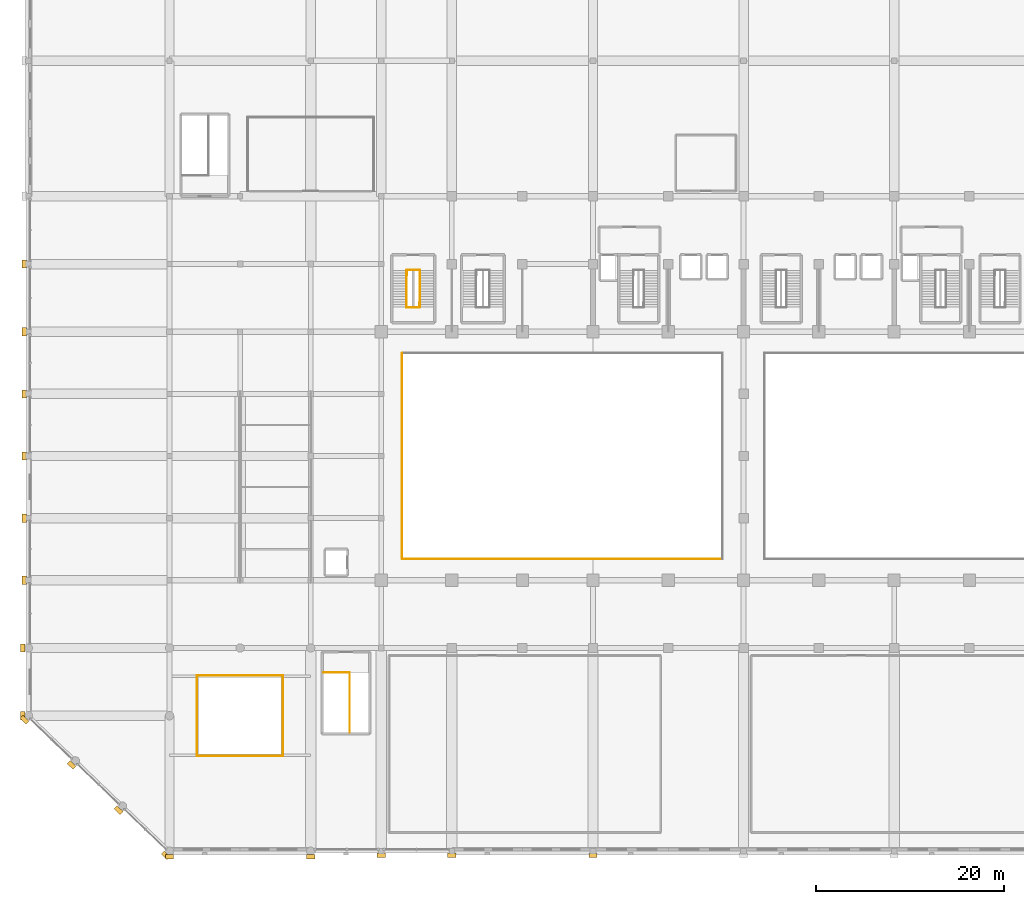
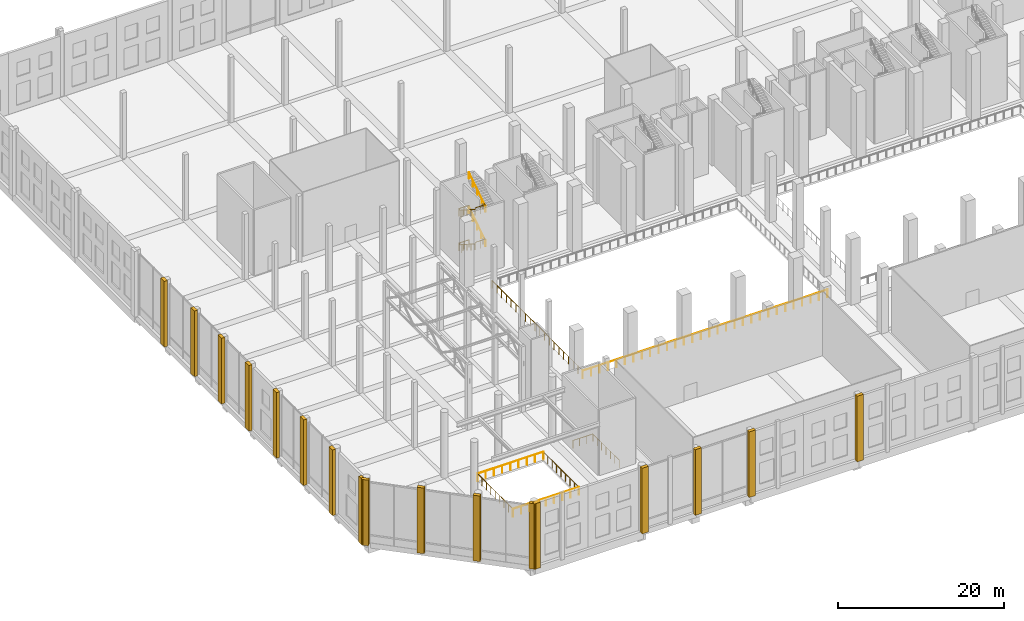
# One storey, part 76 of 80: 17 coverings, 15 railings.
"""IFC4 building model written with IfcOpenShell, lengths in metres."""

from ifc_helpers import new_model, si_unit, direction, frame, origin, origin_2d, place, context, subcontext, project, spatial, rectangle, circle, extrude, material, layer, layer_set, type_object, element, save


model = new_model("IFC4")

# Units and contexts
model_context = context("Model", 3, precision=1e-05, world=origin(), true_north=direction((0.0, 1.0)))
body_context = subcontext(model_context, "Body", "Model", "MODEL_VIEW")
ifc_project = project(units=[si_unit("LENGTHUNIT", "METRE"), si_unit("AREAUNIT", "SQUARE_METRE"), si_unit("VOLUMEUNIT", "CUBIC_METRE"), si_unit("PLANEANGLEUNIT", "RADIAN"), si_unit("MASSUNIT", "GRAM", prefix="KILO")], contexts=[model_context])

# Site, building, storey
site_placement = place(None, origin())
site = spatial("IfcSite", under=ifc_project, at=site_placement, CompositionType="ELEMENT")
building_placement = place(site_placement, origin())
building = spatial("IfcBuilding", under=site, at=building_placement, Name="Akrevak Sports Hall", CompositionType="ELEMENT")
storey_placement = place(building_placement, frame((0.0, 0.0, 14.0)))
storey = spatial("IfcBuildingStorey", under=building, at=storey_placement, Name="L03", CompositionType="ELEMENT", Elevation=14.0)

# Coverings
ifc_material_1 = material(Name="Limestone Ashlar", Category="stone")
ifc_layer_1 = layer(ifc_material_1, 0.47998046875, Name="Limestone Ashlar")
ifc_layer_set_1 = layer_set([ifc_layer_1], Name="Limestone Ashlar")
covering_type = type_object("IfcCoveringType", Name="ARC-COV-PIL-LIM", PredefinedType="CLADDING", material=ifc_layer_set_1)
for number, where, z_axis, x_axis, name in (
    (1, (15.0, -0.60009765625, 0.0), (0.0, 0.0, 1.0), (1.0, 0.0, 0.0), "Giant-Order Limestone Pilaster L03-01-01"),
    (2, (30.0, -0.60009765625, 0.0), (0.0, 0.0, 1.0), (1.0, 0.0, 0.0), "Giant-Order Limestone Pilaster L03-01-02"),
    (3, (37.5, -0.425048828125, 0.0), (0.0, 0.0, 1.0), (1.0, 0.0, 0.0), "Giant-Order Limestone Pilaster L03-01-03"),
    (4, (45.0, -0.425048828125, 0.0), (0.0, 0.0, 1.0), (1.0, 0.0, 0.0), "Giant-Order Limestone Pilaster L03-01-04"),
    (5, (60.0, -0.449951171875, 0.0), (0.0, 0.0, 1.0), (1.0, 0.0, 0.0), "Giant-Order Limestone Pilaster L03-01-05"),
    (6, (-0.60009765625, 14.39990234375, 0.0), (0.0, 0.0, 1.0), (0.0, -1.0, 0.0), "Giant-Order Limestone Pilaster L03-04-39"),
    (7, (-0.60009765625, 21.60009765625, 0.0), (0.0, 0.0, 1.0), (0.0, -1.0, 0.0), "Giant-Order Limestone Pilaster L03-04-40"),
    (8, (-0.449951171875, 28.800048828125, 0.0), (0.0, 0.0, 1.0), (0.0, -1.0, 0.0), "Giant-Order Limestone Pilaster L03-04-41"),
    (9, (-0.425048828125, 35.39990234375, 0.0), (0.0, 0.0, 1.0), (0.0, -1.0, 0.0), "Giant-Order Limestone Pilaster L03-04-42"),
    (10, (-0.449951171875, 42.0, 0.0), (0.0, 0.0, 1.0), (0.0, -1.0, 0.0), "Giant-Order Limestone Pilaster L03-04-43"),
    (11, (-0.449951171875, 48.60009765625, 0.0), (0.0, 0.0, 1.0), (0.0, -1.0, 0.0), "Giant-Order Limestone Pilaster L03-04-44"),
    (12, (-0.425048828125, 55.199951171875, 0.0), (0.0, 0.0, 1.0), (0.0, -1.0, 0.0), "Giant-Order Limestone Pilaster L03-04-45"),
    (13, (-0.449951171875, 62.39990234375, 0.0), (0.0, 0.0, 1.0), (0.0, -1.0, 0.0), "Giant-Order Limestone Pilaster L03-04-46"),
    (14, (-0.41552734375, 13.96728515625, 0.0), (0.0, 0.0, 1.0), (0.721385636978, -0.692533582407, 0.0), "Giant-Order Limestone Pilaster L03-05-49"),
    (15, (4.58447265625, 9.167236328125, 0.0), (0.0, 0.0, 1.0), (0.721385636978, -0.692533582407, 0.0), "Giant-Order Limestone Pilaster L03-05-50"),
    (16, (9.58447265625, 4.3671875, 0.0), (0.0, 0.0, 1.0), (0.721385636978, -0.692533582407, 0.0), "Giant-Order Limestone Pilaster L03-05-51"),
    (17, (14.58447265625, -0.432861328125, 0.0), (0.0, 0.0, 1.0), (0.721385636978, -0.692533582407, 0.0), "Giant-Order Limestone Pilaster L03-05-51"),
):
    element("IfcCovering", number, at=place(storey_placement, frame(where, z_axis=z_axis, x_axis=x_axis)), inside=storey, type_object=covering_type, Name=name, PredefinedType="CLADDING", context=body_context, shape_type="SweptSolid", body=[
        extrude(rectangle(XDim=0.8798828125, YDim=0.4599609375, at=origin_2d()), origin(), (0.0, 0.0, 1.0), 9.64990234375),
    ])

# Railings
ifc_material_2 = material(Name="Painted Architectural Balustrade Steel", Category="steel")
ifc_layer_2 = layer(ifc_material_2, 0.06005859375, Name="Painted Architectural Balustrade Steel")
ifc_layer_set_2 = layer_set([ifc_layer_2], Name="Painted Architectural Balustrade Steel")
railing_type_1 = type_object("IfcRailingType", Name="ARC-RL-GRD-1120", PredefinedType="GUARDRAIL", material=ifc_layer_set_2)
railing_1_placement = place(storey_placement, frame((31.3701171875, 18.989990234375, 0.0)))
element("IfcRailing", 18, at=railing_1_placement, inside=storey, type_object=railing_type_1, Name="Top Stairwell Guardrail ST5 (L03)", PredefinedType="GUARDRAIL", context=body_context, shape_type="SweptSolid", body=[
    extrude(circle(Radius=0.02392578125, at=origin_2d()), frame((0.0, 0.0, 1.09619140625), z_axis=(1.0, 0.0, 0.0), x_axis=(0.0, 1.0, 0.0)), (0.0, 0.0, 1.0), 2.77978515625),
    extrude(circle(Radius=0.02392578125, at=origin_2d()), frame((2.77978515625, 0.0, 1.09619140625), z_axis=(0.0, -1.0, 0.0), x_axis=(1.0, 0.0, 0.0)), (0.0, 0.0, 1.0), 6.35009765625),
    extrude(circle(Radius=0.02099609375, at=origin_2d()), origin(), (0.0, 0.0, 1.0), 1.072021484375),
    extrude(circle(Radius=0.02099609375, at=origin_2d()), frame((0.926513671875, 0.0, 0.0)), (0.0, 0.0, 1.0), 1.072021484375),
    extrude(circle(Radius=0.02099609375, at=origin_2d()), frame((1.853271484375, 0.0, 0.0)), (0.0, 0.0, 1.0), 1.072021484375),
    extrude(circle(Radius=0.02099609375, at=origin_2d()), frame((2.77978515625, 0.0, 0.0)), (0.0, 0.0, 1.0), 1.072021484375),
    extrude(circle(Radius=0.02099609375, at=origin_2d()), frame((2.77978515625, -1.058349609375, 0.0)), (0.0, 0.0, 1.0), 1.072021484375),
    extrude(circle(Radius=0.02099609375, at=origin_2d()), frame((2.77978515625, -2.11669921875, 0.0)), (0.0, 0.0, 1.0), 1.072021484375),
    extrude(circle(Radius=0.02099609375, at=origin_2d()), frame((2.77978515625, -3.175048828125, 0.0)), (0.0, 0.0, 1.0), 1.072021484375),
    extrude(circle(Radius=0.02099609375, at=origin_2d()), frame((2.77978515625, -4.2333984375, 0.0)), (0.0, 0.0, 1.0), 1.072021484375),
    extrude(circle(Radius=0.02099609375, at=origin_2d()), frame((2.77978515625, -5.291748046875, 0.0)), (0.0, 0.0, 1.0), 1.072021484375),
    extrude(circle(Radius=0.02099609375, at=origin_2d()), frame((2.77978515625, -6.35009765625, 0.0)), (0.0, 0.0, 1.0), 1.072021484375),
])
railing_2_placement = place(storey_placement, frame((40.219970703125, 61.215087890625, 0.0)))
element("IfcRailing", 19, at=railing_2_placement, inside=storey, type_object=railing_type_1, Name="Stair Floor Landing Well Guard ST9 (L03)", PredefinedType="GUARDRAIL", context=body_context, shape_type="SweptSolid", body=[
    extrude(circle(Radius=0.02392578125, at=origin_2d()), frame((0.0, 0.0, 1.09619140625), z_axis=(0.0, 1.0, 0.0), x_axis=(-1.0, 0.0, 0.0)), (0.0, 0.0, 1.0), 0.5498046875),
    extrude(circle(Radius=0.02392578125, at=origin_2d()), frame((0.0, 0.5498046875, 1.09619140625), z_axis=(1.0, 0.0, 0.0), x_axis=(0.0, 1.0, 0.0)), (0.0, 0.0, 1.0), 1.39013671875),
    extrude(circle(Radius=0.02099609375, at=origin_2d()), origin(), (0.0, 0.0, 1.0), 1.072021484375),
    extrude(circle(Radius=0.02099609375, at=origin_2d()), frame((0.0, 0.5498046875, 0.0)), (0.0, 0.0, 1.0), 1.072021484375),
    extrude(circle(Radius=0.02099609375, at=origin_2d()), frame((0.695068359375, 0.5498046875, 0.0)), (0.0, 0.0, 1.0), 1.072021484375),
    extrude(circle(Radius=0.02099609375, at=origin_2d()), frame((1.39013671875, 0.5498046875, 0.0)), (0.0, 0.0, 1.0), 1.072021484375),
])
railing_3_placement = place(storey_placement, frame((40.18994140625, 57.784912109375, 2.53759765625)))
element("IfcRailing", 20, at=railing_3_placement, inside=storey, type_object=railing_type_1, Name="Stair Landing Well Guard ST9-L03-1", PredefinedType="GUARDRAIL", context=body_context, shape_type="SweptSolid", body=[
    extrude(circle(Radius=0.02392578125, at=origin_2d()), frame((0.0, 0.0, 1.09619140625), z_axis=(1.0, 0.0, 0.0), x_axis=(0.0, 1.0, 0.0)), (0.0, 0.0, 1.0), 1.39013671875),
    extrude(circle(Radius=0.02392578125, at=origin_2d()), frame((1.39013671875, 0.0, 1.09619140625), z_axis=(0.0, 1.0, 0.0), x_axis=(-1.0, 0.0, 0.0)), (0.0, 0.0, 1.0), 0.52001953125),
    extrude(circle(Radius=0.02099609375, at=origin_2d()), origin(), (0.0, 0.0, 1.0), 1.072021484375),
    extrude(circle(Radius=0.02099609375, at=origin_2d()), frame((0.695068359375, 0.0, 0.0)), (0.0, 0.0, 1.0), 1.072021484375),
    extrude(circle(Radius=0.02099609375, at=origin_2d()), frame((1.39013671875, 0.0, 0.0)), (0.0, 0.0, 1.0), 1.072021484375),
    extrude(circle(Radius=0.02099609375, at=origin_2d()), frame((1.39013671875, 0.52001953125, 0.0)), (0.0, 0.0, 1.0), 1.072021484375),
])
railing_4_placement = place(storey_placement, frame((40.219970703125, 61.2451171875, 5.074951171875)))
element("IfcRailing", 21, at=railing_4_placement, inside=storey, type_object=railing_type_1, Name="Stair Landing Well Guard ST9-L03-2", PredefinedType="GUARDRAIL", context=body_context, shape_type="SweptSolid", body=[
    extrude(circle(Radius=0.02392578125, at=origin_2d()), frame((0.0, 0.0, 1.09619140625), z_axis=(0.0, 1.0, 0.0), x_axis=(-1.0, 0.0, 0.0)), (0.0, 0.0, 1.0), 0.519775390625),
    extrude(circle(Radius=0.02392578125, at=origin_2d()), frame((0.0, 0.519775390625, 1.09619140625), z_axis=(1.0, 0.0, 0.0), x_axis=(0.0, 1.0, 0.0)), (0.0, 0.0, 1.0), 1.39013671875),
    extrude(circle(Radius=0.02099609375, at=origin_2d()), origin(), (0.0, 0.0, 1.0), 1.072021484375),
    extrude(circle(Radius=0.02099609375, at=origin_2d()), frame((0.0, 0.519775390625, 0.0)), (0.0, 0.0, 1.0), 1.072021484375),
    extrude(circle(Radius=0.02099609375, at=origin_2d()), frame((0.695068359375, 0.519775390625, 0.0)), (0.0, 0.0, 1.0), 1.072021484375),
    extrude(circle(Radius=0.02099609375, at=origin_2d()), frame((1.39013671875, 0.519775390625, 0.0)), (0.0, 0.0, 1.0), 1.072021484375),
])
railing_5_placement = place(storey_placement, frame((40.18994140625, 57.784912109375, 7.612548828125)))
element("IfcRailing", 22, at=railing_5_placement, inside=storey, type_object=railing_type_1, Name="Stair Landing Well Guard ST9-L03-3", PredefinedType="GUARDRAIL", context=body_context, shape_type="SweptSolid", body=[
    extrude(circle(Radius=0.02392578125, at=origin_2d()), frame((0.0, 0.0, 1.09619140625), z_axis=(1.0, 0.0, 0.0), x_axis=(0.0, 1.0, 0.0)), (0.0, 0.0, 1.0), 1.39013671875),
    extrude(circle(Radius=0.02392578125, at=origin_2d()), frame((1.39013671875, 0.0, 1.09619140625), z_axis=(0.0, 1.0, 0.0), x_axis=(-1.0, 0.0, 0.0)), (0.0, 0.0, 1.0), 0.52001953125),
    extrude(circle(Radius=0.02099609375, at=origin_2d()), origin(), (0.0, 0.0, 1.0), 1.072021484375),
    extrude(circle(Radius=0.02099609375, at=origin_2d()), frame((0.695068359375, 0.0, 0.0)), (0.0, 0.0, 1.0), 1.072021484375),
    extrude(circle(Radius=0.02099609375, at=origin_2d()), frame((1.39013671875, 0.0, 0.0)), (0.0, 0.0, 1.0), 1.072021484375),
    extrude(circle(Radius=0.02099609375, at=origin_2d()), frame((1.39013671875, 0.52001953125, 0.0)), (0.0, 0.0, 1.0), 1.072021484375),
])
ifc_material_3 = material(Name="Anodized Bronze Aluminium & Laminated Glass", Category="aluminium")
ifc_layer_3 = layer(ifc_material_3, 0.080078125, Name="Anodized Bronze Aluminium & Laminated Glass")
ifc_layer_set_3 = layer_set([ifc_layer_3], Name="Anodized Bronze Aluminium & Laminated Glass")
railing_type_2 = type_object("IfcRailingType", Name="ARC-RL-GRD-1150", PredefinedType="GUARDRAIL", material=ifc_layer_set_3)
railing_6_placement = place(storey_placement, frame((39.719970703125, 31.070068359375, 0.0)))
element("IfcRailing", 23, at=railing_6_placement, inside=storey, type_object=railing_type_2, Name="Atrium/Arena Gallery Guardrail L03-BB2-S", PredefinedType="GUARDRAIL", context=body_context, shape_type="SweptSolid", body=[
    extrude(circle(Radius=0.02392578125, at=origin_2d()), frame((0.0, 0.0, 1.1259765625), z_axis=(1.0, 0.0, 0.0), x_axis=(0.0, 1.0, 0.0)), (0.0, 0.0, 1.0), 34.06005859375),
    extrude(circle(Radius=0.02099609375, at=origin_2d()), origin(), (0.0, 0.0, 1.0), 1.101806640625),
    extrude(circle(Radius=0.02099609375, at=origin_2d()), frame((1.174560546875, 0.0, 0.0)), (0.0, 0.0, 1.0), 1.101806640625),
    extrude(circle(Radius=0.02099609375, at=origin_2d()), frame((2.348876953125, 0.0, 0.0)), (0.0, 0.0, 1.0), 1.101806640625),
    extrude(circle(Radius=0.02099609375, at=origin_2d()), frame((3.5234375, 0.0, 0.0)), (0.0, 0.0, 1.0), 1.101806640625),
    extrude(circle(Radius=0.02099609375, at=origin_2d()), frame((4.697998046875, 0.0, 0.0)), (0.0, 0.0, 1.0), 1.101806640625),
    extrude(circle(Radius=0.02099609375, at=origin_2d()), frame((5.872314453125, 0.0, 0.0)), (0.0, 0.0, 1.0), 1.101806640625),
    extrude(circle(Radius=0.02099609375, at=origin_2d()), frame((7.046875, 0.0, 0.0)), (0.0, 0.0, 1.0), 1.101806640625),
    extrude(circle(Radius=0.02099609375, at=origin_2d()), frame((8.221435546875, 0.0, 0.0)), (0.0, 0.0, 1.0), 1.101806640625),
    extrude(circle(Radius=0.02099609375, at=origin_2d()), frame((9.39599609375, 0.0, 0.0)), (0.0, 0.0, 1.0), 1.101806640625),
    extrude(circle(Radius=0.02099609375, at=origin_2d()), frame((10.5703125, 0.0, 0.0)), (0.0, 0.0, 1.0), 1.101806640625),
    extrude(circle(Radius=0.02099609375, at=origin_2d()), frame((11.744873046875, 0.0, 0.0)), (0.0, 0.0, 1.0), 1.101806640625),
    extrude(circle(Radius=0.02099609375, at=origin_2d()), frame((12.91943359375, 0.0, 0.0)), (0.0, 0.0, 1.0), 1.101806640625),
    extrude(circle(Radius=0.02099609375, at=origin_2d()), frame((14.09375, 0.0, 0.0)), (0.0, 0.0, 1.0), 1.101806640625),
    extrude(circle(Radius=0.02099609375, at=origin_2d()), frame((15.268310546875, 0.0, 0.0)), (0.0, 0.0, 1.0), 1.101806640625),
    extrude(circle(Radius=0.02099609375, at=origin_2d()), frame((16.44287109375, 0.0, 0.0)), (0.0, 0.0, 1.0), 1.101806640625),
    extrude(circle(Radius=0.02099609375, at=origin_2d()), frame((17.6171875, 0.0, 0.0)), (0.0, 0.0, 1.0), 1.101806640625),
    extrude(circle(Radius=0.02099609375, at=origin_2d()), frame((18.791748046875, 0.0, 0.0)), (0.0, 0.0, 1.0), 1.101806640625),
    extrude(circle(Radius=0.02099609375, at=origin_2d()), frame((19.96630859375, 0.0, 0.0)), (0.0, 0.0, 1.0), 1.101806640625),
    extrude(circle(Radius=0.02099609375, at=origin_2d()), frame((21.140625, 0.0, 0.0)), (0.0, 0.0, 1.0), 1.101806640625),
    extrude(circle(Radius=0.02099609375, at=origin_2d()), frame((22.315185546875, 0.0, 0.0)), (0.0, 0.0, 1.0), 1.101806640625),
    extrude(circle(Radius=0.02099609375, at=origin_2d()), frame((23.48974609375, 0.0, 0.0)), (0.0, 0.0, 1.0), 1.101806640625),
    extrude(circle(Radius=0.02099609375, at=origin_2d()), frame((24.6640625, 0.0, 0.0)), (0.0, 0.0, 1.0), 1.101806640625),
    extrude(circle(Radius=0.02099609375, at=origin_2d()), frame((25.838623046875, 0.0, 0.0)), (0.0, 0.0, 1.0), 1.101806640625),
    extrude(circle(Radius=0.02099609375, at=origin_2d()), frame((27.01318359375, 0.0, 0.0)), (0.0, 0.0, 1.0), 1.101806640625),
    extrude(circle(Radius=0.02099609375, at=origin_2d()), frame((28.187744140625, 0.0, 0.0)), (0.0, 0.0, 1.0), 1.101806640625),
    extrude(circle(Radius=0.02099609375, at=origin_2d()), frame((29.362060546875, 0.0, 0.0)), (0.0, 0.0, 1.0), 1.101806640625),
    extrude(circle(Radius=0.02099609375, at=origin_2d()), frame((30.53662109375, 0.0, 0.0)), (0.0, 0.0, 1.0), 1.101806640625),
    extrude(circle(Radius=0.02099609375, at=origin_2d()), frame((31.711181640625, 0.0, 0.0)), (0.0, 0.0, 1.0), 1.101806640625),
    extrude(circle(Radius=0.02099609375, at=origin_2d()), frame((32.885498046875, 0.0, 0.0)), (0.0, 0.0, 1.0), 1.101806640625),
    extrude(circle(Radius=0.02099609375, at=origin_2d()), frame((34.06005859375, 0.0, 0.0)), (0.0, 0.0, 1.0), 1.101806640625),
])
railing_7_placement = place(storey_placement, frame((39.719970703125, 52.929931640625, 0.0)))
element("IfcRailing", 24, at=railing_7_placement, inside=storey, type_object=railing_type_2, Name="Atrium/Arena Gallery Guardrail L03-BB2-W", PredefinedType="GUARDRAIL", context=body_context, shape_type="SweptSolid", body=[
    extrude(circle(Radius=0.02392578125, at=origin_2d()), frame((0.0, 0.0, 1.1259765625), z_axis=(0.0, -1.0, 0.0), x_axis=(1.0, 0.0, 0.0)), (0.0, 0.0, 1.0), 21.85986328125),
    extrude(circle(Radius=0.02099609375, at=origin_2d()), origin(), (0.0, 0.0, 1.0), 1.101806640625),
    extrude(circle(Radius=0.02099609375, at=origin_2d()), frame((0.0, -1.150634765625, 0.0)), (0.0, 0.0, 1.0), 1.101806640625),
    extrude(circle(Radius=0.02099609375, at=origin_2d()), frame((0.0, -2.301025390625, 0.0)), (0.0, 0.0, 1.0), 1.101806640625),
    extrude(circle(Radius=0.02099609375, at=origin_2d()), frame((0.0, -3.45166015625, 0.0)), (0.0, 0.0, 1.0), 1.101806640625),
    extrude(circle(Radius=0.02099609375, at=origin_2d()), frame((0.0, -4.60205078125, 0.0)), (0.0, 0.0, 1.0), 1.101806640625),
    extrude(circle(Radius=0.02099609375, at=origin_2d()), frame((0.0, -5.752685546875, 0.0)), (0.0, 0.0, 1.0), 1.101806640625),
    extrude(circle(Radius=0.02099609375, at=origin_2d()), frame((0.0, -6.903076171875, 0.0)), (0.0, 0.0, 1.0), 1.101806640625),
    extrude(circle(Radius=0.02099609375, at=origin_2d()), frame((0.0, -8.0537109375, 0.0)), (0.0, 0.0, 1.0), 1.101806640625),
    extrude(circle(Radius=0.02099609375, at=origin_2d()), frame((0.0, -9.2041015625, 0.0)), (0.0, 0.0, 1.0), 1.101806640625),
    extrude(circle(Radius=0.02099609375, at=origin_2d()), frame((0.0, -10.354736328125, 0.0)), (0.0, 0.0, 1.0), 1.101806640625),
    extrude(circle(Radius=0.02099609375, at=origin_2d()), frame((0.0, -11.505126953125, 0.0)), (0.0, 0.0, 1.0), 1.101806640625),
    extrude(circle(Radius=0.02099609375, at=origin_2d()), frame((0.0, -12.65576171875, 0.0)), (0.0, 0.0, 1.0), 1.101806640625),
    extrude(circle(Radius=0.02099609375, at=origin_2d()), frame((0.0, -13.80615234375, 0.0)), (0.0, 0.0, 1.0), 1.101806640625),
    extrude(circle(Radius=0.02099609375, at=origin_2d()), frame((0.0, -14.956787109375, 0.0)), (0.0, 0.0, 1.0), 1.101806640625),
    extrude(circle(Radius=0.02099609375, at=origin_2d()), frame((0.0, -16.107177734375, 0.0)), (0.0, 0.0, 1.0), 1.101806640625),
    extrude(circle(Radius=0.02099609375, at=origin_2d()), frame((0.0, -17.2578125, 0.0)), (0.0, 0.0, 1.0), 1.101806640625),
    extrude(circle(Radius=0.02099609375, at=origin_2d()), frame((0.0, -18.408203125, 0.0)), (0.0, 0.0, 1.0), 1.101806640625),
    extrude(circle(Radius=0.02099609375, at=origin_2d()), frame((0.0, -19.558837890625, 0.0)), (0.0, 0.0, 1.0), 1.101806640625),
    extrude(circle(Radius=0.02099609375, at=origin_2d()), frame((0.0, -20.709228515625, 0.0)), (0.0, 0.0, 1.0), 1.101806640625),
    extrude(circle(Radius=0.02099609375, at=origin_2d()), frame((0.0, -21.85986328125, 0.0)), (0.0, 0.0, 1.0), 1.101806640625),
])
railing_8_placement = place(storey_placement, frame((17.919921875, 10.1201171875, 0.0)))
element("IfcRailing", 25, at=railing_8_placement, inside=storey, type_object=railing_type_2, Name="Atrium/Arena Gallery Guardrail L03-ROT-S", PredefinedType="GUARDRAIL", context=body_context, shape_type="SweptSolid", body=[
    extrude(circle(Radius=0.02392578125, at=origin_2d()), frame((0.0, 0.0, 1.1259765625), z_axis=(1.0, 0.0, 0.0), x_axis=(0.0, 1.0, 0.0)), (0.0, 0.0, 1.0), 9.16015625),
    extrude(circle(Radius=0.02099609375, at=origin_2d()), origin(), (0.0, 0.0, 1.0), 1.101806640625),
    extrude(circle(Radius=0.02099609375, at=origin_2d()), frame((1.14501953125, 0.0, 0.0)), (0.0, 0.0, 1.0), 1.101806640625),
    extrude(circle(Radius=0.02099609375, at=origin_2d()), frame((2.2900390625, 0.0, 0.0)), (0.0, 0.0, 1.0), 1.101806640625),
    extrude(circle(Radius=0.02099609375, at=origin_2d()), frame((3.43505859375, 0.0, 0.0)), (0.0, 0.0, 1.0), 1.101806640625),
    extrude(circle(Radius=0.02099609375, at=origin_2d()), frame((4.580078125, 0.0, 0.0)), (0.0, 0.0, 1.0), 1.101806640625),
    extrude(circle(Radius=0.02099609375, at=origin_2d()), frame((5.72509765625, 0.0, 0.0)), (0.0, 0.0, 1.0), 1.101806640625),
    extrude(circle(Radius=0.02099609375, at=origin_2d()), frame((6.8701171875, 0.0, 0.0)), (0.0, 0.0, 1.0), 1.101806640625),
    extrude(circle(Radius=0.02099609375, at=origin_2d()), frame((8.01513671875, 0.0, 0.0)), (0.0, 0.0, 1.0), 1.101806640625),
    extrude(circle(Radius=0.02099609375, at=origin_2d()), frame((9.16015625, 0.0, 0.0)), (0.0, 0.0, 1.0), 1.101806640625),
])
railing_9_placement = place(storey_placement, frame((27.080078125, 18.679931640625, 0.0)))
element("IfcRailing", 26, at=railing_9_placement, inside=storey, type_object=railing_type_2, Name="Atrium/Arena Gallery Guardrail L03-ROT-N", PredefinedType="GUARDRAIL", context=body_context, shape_type="SweptSolid", body=[
    extrude(circle(Radius=0.02392578125, at=origin_2d()), frame((0.0, 0.0, 1.1259765625), z_axis=(-1.0, 0.0, 0.0), x_axis=(0.0, -1.0, 0.0)), (0.0, 0.0, 1.0), 9.16015625),
    extrude(circle(Radius=0.02099609375, at=origin_2d()), origin(), (0.0, 0.0, 1.0), 1.101806640625),
    extrude(circle(Radius=0.02099609375, at=origin_2d()), frame((-1.14501953125, 0.0, 0.0)), (0.0, 0.0, 1.0), 1.101806640625),
    extrude(circle(Radius=0.02099609375, at=origin_2d()), frame((-2.2900390625, 0.0, 0.0)), (0.0, 0.0, 1.0), 1.101806640625),
    extrude(circle(Radius=0.02099609375, at=origin_2d()), frame((-3.43505859375, 0.0, 0.0)), (0.0, 0.0, 1.0), 1.101806640625),
    extrude(circle(Radius=0.02099609375, at=origin_2d()), frame((-4.580078125, 0.0, 0.0)), (0.0, 0.0, 1.0), 1.101806640625),
    extrude(circle(Radius=0.02099609375, at=origin_2d()), frame((-5.72509765625, 0.0, 0.0)), (0.0, 0.0, 1.0), 1.101806640625),
    extrude(circle(Radius=0.02099609375, at=origin_2d()), frame((-6.8701171875, 0.0, 0.0)), (0.0, 0.0, 1.0), 1.101806640625),
    extrude(circle(Radius=0.02099609375, at=origin_2d()), frame((-8.01513671875, 0.0, 0.0)), (0.0, 0.0, 1.0), 1.101806640625),
    extrude(circle(Radius=0.02099609375, at=origin_2d()), frame((-9.16015625, 0.0, 0.0)), (0.0, 0.0, 1.0), 1.101806640625),
])
railing_10_placement = place(storey_placement, frame((17.919921875, 18.679931640625, 0.0)))
element("IfcRailing", 27, at=railing_10_placement, inside=storey, type_object=railing_type_2, Name="Atrium/Arena Gallery Guardrail L03-ROT-W", PredefinedType="GUARDRAIL", context=body_context, shape_type="SweptSolid", body=[
    extrude(circle(Radius=0.02392578125, at=origin_2d()), frame((0.0, 0.0, 1.1259765625), z_axis=(0.0, -1.0, 0.0), x_axis=(1.0, 0.0, 0.0)), (0.0, 0.0, 1.0), 8.559814453125),
    extrude(circle(Radius=0.02099609375, at=origin_2d()), origin(), (0.0, 0.0, 1.0), 1.101806640625),
    extrude(circle(Radius=0.02099609375, at=origin_2d()), frame((0.0, -1.070068359375, 0.0)), (0.0, 0.0, 1.0), 1.101806640625),
    extrude(circle(Radius=0.02099609375, at=origin_2d()), frame((0.0, -2.139892578125, 0.0)), (0.0, 0.0, 1.0), 1.101806640625),
    extrude(circle(Radius=0.02099609375, at=origin_2d()), frame((0.0, -3.2099609375, 0.0)), (0.0, 0.0, 1.0), 1.101806640625),
    extrude(circle(Radius=0.02099609375, at=origin_2d()), frame((0.0, -4.27978515625, 0.0)), (0.0, 0.0, 1.0), 1.101806640625),
    extrude(circle(Radius=0.02099609375, at=origin_2d()), frame((0.0, -5.349853515625, 0.0)), (0.0, 0.0, 1.0), 1.101806640625),
    extrude(circle(Radius=0.02099609375, at=origin_2d()), frame((0.0, -6.419921875, 0.0)), (0.0, 0.0, 1.0), 1.101806640625),
    extrude(circle(Radius=0.02099609375, at=origin_2d()), frame((0.0, -7.48974609375, 0.0)), (0.0, 0.0, 1.0), 1.101806640625),
    extrude(circle(Radius=0.02099609375, at=origin_2d()), frame((0.0, -8.559814453125, 0.0)), (0.0, 0.0, 1.0), 1.101806640625),
])
railing_11_placement = place(storey_placement, frame((27.080078125, 10.1201171875, 0.0)))
element("IfcRailing", 28, at=railing_11_placement, inside=storey, type_object=railing_type_2, Name="Atrium/Arena Gallery Guardrail L03-ROT-E", PredefinedType="GUARDRAIL", context=body_context, shape_type="SweptSolid", body=[
    extrude(circle(Radius=0.02392578125, at=origin_2d()), frame((0.0, 0.0, 1.1259765625), z_axis=(0.0, 1.0, 0.0), x_axis=(-1.0, 0.0, 0.0)), (0.0, 0.0, 1.0), 8.559814453125),
    extrude(circle(Radius=0.02099609375, at=origin_2d()), origin(), (0.0, 0.0, 1.0), 1.101806640625),
    extrude(circle(Radius=0.02099609375, at=origin_2d()), frame((0.0, 1.070068359375, 0.0)), (0.0, 0.0, 1.0), 1.101806640625),
    extrude(circle(Radius=0.02099609375, at=origin_2d()), frame((0.0, 2.139892578125, 0.0)), (0.0, 0.0, 1.0), 1.101806640625),
    extrude(circle(Radius=0.02099609375, at=origin_2d()), frame((0.0, 3.2099609375, 0.0)), (0.0, 0.0, 1.0), 1.101806640625),
    extrude(circle(Radius=0.02099609375, at=origin_2d()), frame((0.0, 4.27978515625, 0.0)), (0.0, 0.0, 1.0), 1.101806640625),
    extrude(circle(Radius=0.02099609375, at=origin_2d()), frame((0.0, 5.349853515625, 0.0)), (0.0, 0.0, 1.0), 1.101806640625),
    extrude(circle(Radius=0.02099609375, at=origin_2d()), frame((0.0, 6.419921875, 0.0)), (0.0, 0.0, 1.0), 1.101806640625),
    extrude(circle(Radius=0.02099609375, at=origin_2d()), frame((0.0, 7.48974609375, 0.0)), (0.0, 0.0, 1.0), 1.101806640625),
    extrude(circle(Radius=0.02099609375, at=origin_2d()), frame((0.0, 8.559814453125, 0.0)), (0.0, 0.0, 1.0), 1.101806640625),
])
ifc_material_4 = material(Name="Brushed Stainless Steel 304", Category="steel")
ifc_layer_4 = layer(ifc_material_4, 0.050048828125, Name="Brushed Stainless Steel 304")
ifc_layer_set_4 = layer_set([ifc_layer_4], Name="Brushed Stainless Steel 304")
railing_type_3 = type_object("IfcRailingType", Name="ARC-RL-HND-900", PredefinedType="HANDRAIL", material=ifc_layer_set_4)
railing_12_placement = place(storey_placement, frame((40.18994140625, 61.735107421875, 0.0)))
element("IfcRailing", 29, at=railing_12_placement, inside=storey, type_object=railing_type_3, Name="Stair Handrail ST9-L03-F1", PredefinedType="HANDRAIL", context=body_context, shape_type="SweptSolid", body=[
    extrude(circle(Radius=0.02392578125, at=origin_2d()), frame((0.0, 0.0, 0.8759765625), z_axis=(0.0, -0.839470554764, 0.543405178191), x_axis=(1.0, 0.0, 0.0)), (0.0, 0.0, 1.0), 4.669921875),
    extrude(circle(Radius=0.02099609375, at=origin_2d()), origin(), (0.0, 0.0, 1.0), 0.851806640625),
    extrude(circle(Radius=0.02099609375, at=origin_2d()), frame((0.0, -0.97998046875, 0.63427734375)), (0.0, 0.0, 1.0), 0.851806640625),
    extrude(circle(Radius=0.02099609375, at=origin_2d()), frame((0.0, -1.9599609375, 1.268798828125)), (0.0, 0.0, 1.0), 0.851806640625),
    extrude(circle(Radius=0.02099609375, at=origin_2d()), frame((0.0, -2.940185546875, 1.9033203125)), (0.0, 0.0, 1.0), 0.851806640625),
    extrude(circle(Radius=0.02099609375, at=origin_2d()), frame((0.0, -3.920166015625, 2.53759765625)), (0.0, 0.0, 1.0), 0.851806640625),
])
railing_13_placement = place(storey_placement, frame((41.610107421875, 57.81494140625, 2.53759765625)))
element("IfcRailing", 30, at=railing_13_placement, inside=storey, type_object=railing_type_3, Name="Stair Handrail ST9-L03-F2", PredefinedType="HANDRAIL", context=body_context, shape_type="SweptSolid", body=[
    extrude(circle(Radius=0.02392578125, at=origin_2d()), frame((0.0, 0.0, 0.8759765625), z_axis=(0.0, 0.83949440364, 0.543368333875), x_axis=(-1.0, 0.0, 0.0)), (0.0, 0.0, 1.0), 4.669677734375),
    extrude(circle(Radius=0.02099609375, at=origin_2d()), origin(), (0.0, 0.0, 1.0), 0.851806640625),
    extrude(circle(Radius=0.02099609375, at=origin_2d()), frame((0.0, 0.97998046875, 0.63427734375)), (0.0, 0.0, 1.0), 0.851806640625),
    extrude(circle(Radius=0.02099609375, at=origin_2d()), frame((0.0, 1.9599609375, 1.2685546875)), (0.0, 0.0, 1.0), 0.851806640625),
    extrude(circle(Radius=0.02099609375, at=origin_2d()), frame((0.0, 2.940185546875, 1.903076171875)), (0.0, 0.0, 1.0), 0.851806640625),
    extrude(circle(Radius=0.02099609375, at=origin_2d()), frame((0.0, 3.920166015625, 2.537353515625)), (0.0, 0.0, 1.0), 0.851806640625),
])
railing_14_placement = place(storey_placement, frame((40.18994140625, 61.735107421875, 5.074951171875)))
element("IfcRailing", 31, at=railing_14_placement, inside=storey, type_object=railing_type_3, Name="Stair Handrail ST9-L03-F3", PredefinedType="HANDRAIL", context=body_context, shape_type="SweptSolid", body=[
    extrude(circle(Radius=0.02392578125, at=origin_2d()), frame((0.0, 0.0, 0.8759765625), z_axis=(0.0, -0.839470554764, 0.543405178191), x_axis=(1.0, 0.0, 0.0)), (0.0, 0.0, 1.0), 4.669921875),
    extrude(circle(Radius=0.02099609375, at=origin_2d()), origin(), (0.0, 0.0, 1.0), 0.851806640625),
    extrude(circle(Radius=0.02099609375, at=origin_2d()), frame((0.0, -0.97998046875, 0.63427734375)), (0.0, 0.0, 1.0), 0.851806640625),
    extrude(circle(Radius=0.02099609375, at=origin_2d()), frame((0.0, -1.9599609375, 1.268798828125)), (0.0, 0.0, 1.0), 0.851806640625),
    extrude(circle(Radius=0.02099609375, at=origin_2d()), frame((0.0, -2.940185546875, 1.9033203125)), (0.0, 0.0, 1.0), 0.851806640625),
    extrude(circle(Radius=0.02099609375, at=origin_2d()), frame((0.0, -3.920166015625, 2.53759765625)), (0.0, 0.0, 1.0), 0.851806640625),
])
railing_15_placement = place(storey_placement, frame((41.610107421875, 57.81494140625, 7.612548828125)))
element("IfcRailing", 32, at=railing_15_placement, inside=storey, type_object=railing_type_3, Name="Stair Handrail ST9-L03-F4", PredefinedType="HANDRAIL", context=body_context, shape_type="SweptSolid", body=[
    extrude(circle(Radius=0.02392578125, at=origin_2d()), frame((0.0, 0.0, 0.8759765625), z_axis=(0.0, 0.83949440364, 0.543368333875), x_axis=(-1.0, 0.0, 0.0)), (0.0, 0.0, 1.0), 4.669677734375),
    extrude(circle(Radius=0.02099609375, at=origin_2d()), origin(), (0.0, 0.0, 1.0), 0.851806640625),
    extrude(circle(Radius=0.02099609375, at=origin_2d()), frame((0.0, 0.97998046875, 0.63427734375)), (0.0, 0.0, 1.0), 0.851806640625),
    extrude(circle(Radius=0.02099609375, at=origin_2d()), frame((0.0, 1.9599609375, 1.2685546875)), (0.0, 0.0, 1.0), 0.851806640625),
    extrude(circle(Radius=0.02099609375, at=origin_2d()), frame((0.0, 2.940185546875, 1.903076171875)), (0.0, 0.0, 1.0), 0.851806640625),
    extrude(circle(Radius=0.02099609375, at=origin_2d()), frame((0.0, 3.920166015625, 2.537353515625)), (0.0, 0.0, 1.0), 0.851806640625),
])

save(model, "model.ifc")
